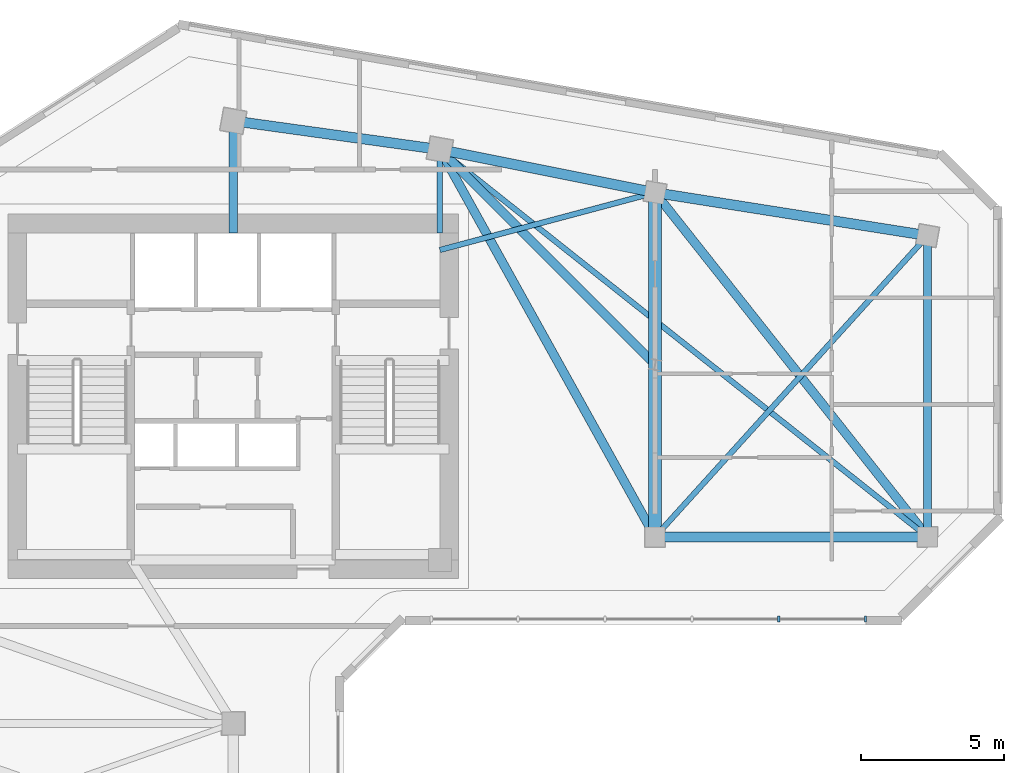
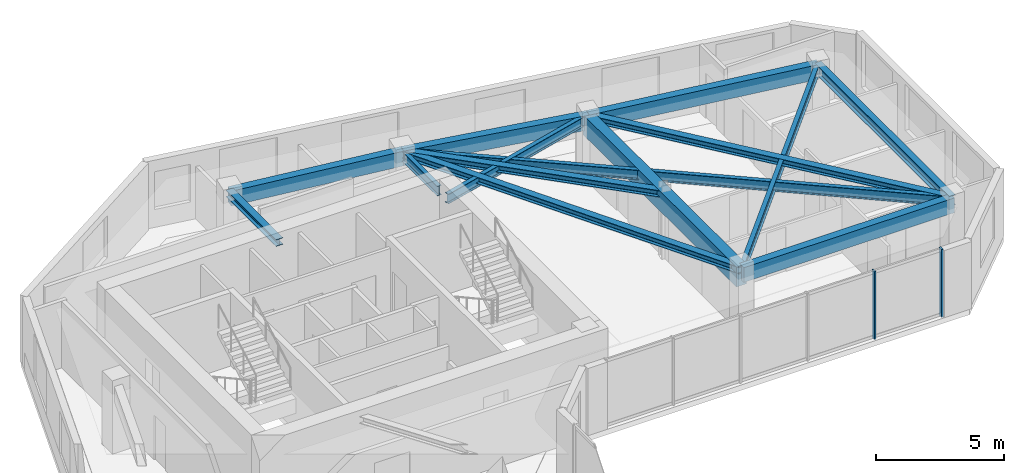
# One storey, part 3 of 10: 14 beams, 2 members, 1 element without a shape of its own.
"""IFC4 building model written with IfcOpenShell, lengths in metres."""

from ifc_helpers import new_model, si_unit, direction, frame, origin, origin_2d, place, context, subcontext, project, spatial, rectangle, i_section, extrude, source, transform, mapped, material, material_profile, profile_set, type_object, element, aggregate, save


model = new_model("IFC4")

# Units and contexts
model_context = context("Model", 3, precision=1e-05, world=origin(), true_north=direction((0.0, 1.0)))
body_context = subcontext(model_context, "Body", "Model", "MODEL_VIEW")
ifc_project = project(units=[si_unit("LENGTHUNIT", "METRE"), si_unit("AREAUNIT", "SQUARE_METRE"), si_unit("VOLUMEUNIT", "CUBIC_METRE"), si_unit("PLANEANGLEUNIT", "RADIAN"), si_unit("MASSUNIT", "GRAM", prefix="KILO")], contexts=[model_context])

# Site, building, storey
site_placement = place(None, origin())
site = spatial("IfcSite", under=ifc_project, at=site_placement, CompositionType="ELEMENT")
building_placement = place(site_placement, origin())
building = spatial("IfcBuilding", under=site, at=building_placement, Name="Calvemar Wedge Station Tower", CompositionType="ELEMENT")
storey_placement = place(building_placement, frame((0.0, 0.0, 207.89990234375)))
storey = spatial("IfcBuildingStorey", under=building, at=storey_placement, Name="L52", CompositionType="ELEMENT", Elevation=207.89990234375)

# Beams
ifc_material_1 = material(Name="Structural steel ASTM A572 Grade 50", Category="steel")
ifc_material_profile_1 = material_profile(ifc_material_1, i_section(OverallWidth=0.30908203125, OverallDepth=0.322998046875, WebThickness=0.013916015625, FlangeThickness=0.02294921875, FilletRadius=0.014892578125, at=origin_2d()), Name="W310x143")
ifc_profile_set_1 = profile_set([ifc_material_profile_1], Name="Structural steel ASTM A572 Grade 50")
beam_type_1 = type_object("IfcBeamType", Name="BM-J5-W310H", PredefinedType="JOIST", material=ifc_profile_set_1)
shared_shape_1 = source(origin(), body_context, "Body", "SweptSolid", [
    extrude(i_section(OverallWidth=0.30908203125, OverallDepth=0.322998046875, WebThickness=0.013916015625, FlangeThickness=0.02294921875, FilletRadius=0.014892578125, at=origin_2d()), origin(), (0.0, 0.0, 1.0), 15.443359375),
])
beam_1_placement = place(storey_placement, frame((31.0, 48.5, 3.03857421875), z_axis=(0.485642931179, -0.874157276122, 0.0), x_axis=(0.874157276122, 0.485642931179, 0.0)))
element("IfcBeam", 1, at=beam_1_placement, inside=storey, type_object=beam_type_1, Name="Storey L52 Floor Beam T-N2-T-NL2", PredefinedType="JOIST", context=body_context, shape_type="MappedRepresentation", body=[
    mapped(shared_shape_1, transform((0.0, 0.0, 0.0), scale=1.0)),
])
ifc_material_profile_2 = material_profile(ifc_material_1, i_section(OverallWidth=0.19189453125, OverallDepth=0.462890625, WebThickness=0.010498046875, FlangeThickness=0.017578125, FilletRadius=0.012939453125, at=origin_2d()), Name="W460x89")
ifc_profile_set_2 = profile_set([ifc_material_profile_2], Name="Structural steel ASTM A572 Grade 50")
beam_type_2 = type_object("IfcBeamType", Name="BM-J1-W460", PredefinedType="JOIST", material=ifc_profile_set_2)
shared_shape_2 = source(origin(), body_context, "Body", "SweptSolid", [
    extrude(i_section(OverallWidth=0.19189453125, OverallDepth=0.462890625, WebThickness=0.010498046875, FlangeThickness=0.017578125, FilletRadius=0.012939453125, at=origin_2d()), origin(), (0.0, 0.0, 1.0), 21.708251953125),
])
beam_2_placement = place(storey_placement, frame((31.0, 48.5, 2.968505859375), z_axis=(0.783110847498, -0.621882143602, 0.0), x_axis=(0.621882143602, 0.783110847498, 0.0)))
element("IfcBeam", 2, at=beam_2_placement, inside=storey, type_object=beam_type_2, Name="Storey L52 Floor Beam T-N2-T-NL3", PredefinedType="JOIST", context=body_context, shape_type="MappedRepresentation", body=[
    mapped(shared_shape_2, transform((0.0, 0.0, 0.0), scale=1.0)),
])
shared_shape_3 = source(origin(), body_context, "Body", "SweptSolid", [
    extrude(i_section(OverallWidth=0.30908203125, OverallDepth=0.322998046875, WebThickness=0.013916015625, FlangeThickness=0.02294921875, FilletRadius=0.014892578125, at=origin_2d()), origin(), (0.0, 0.0, 1.0), 15.30517578125),
])
beam_3_placement = place(storey_placement, frame((38.5, 47.0, 3.03857421875), z_axis=(0.620702944366, -0.784045824462, 0.0), x_axis=(0.784045824462, 0.620702944366, 0.0)))
element("IfcBeam", 3, at=beam_3_placement, inside=storey, type_object=beam_type_1, Name="Storey L52 Floor Beam T-NU3-T-NL3", PredefinedType="JOIST", context=body_context, shape_type="MappedRepresentation", body=[
    mapped(shared_shape_3, transform((0.0, 0.0, 0.0), scale=1.0)),
])
shared_shape_4 = source(origin(), body_context, "Body", "SweptSolid", [
    extrude(i_section(OverallWidth=0.19189453125, OverallDepth=0.462890625, WebThickness=0.010498046875, FlangeThickness=0.017578125, FilletRadius=0.012939453125, at=origin_2d()), origin(), (0.0, 0.0, 1.0), 14.159912109375),
])
beam_4_placement = place(storey_placement, frame((38.5, 35.0, 2.968505859375), z_axis=(0.670913323969, 0.741535779124, 0.0), x_axis=(-0.741535779124, 0.670913323969, 0.0)))
element("IfcBeam", 4, at=beam_4_placement, inside=storey, type_object=beam_type_2, Name="Storey L52 Floor Beam T-NL2-T-NU4", PredefinedType="JOIST", context=body_context, shape_type="MappedRepresentation", body=[
    mapped(shared_shape_4, transform((0.0, 0.0, 0.0), scale=1.0)),
])
shared_shape_5 = source(origin(), body_context, "Body", "SweptSolid", [
    extrude(i_section(OverallWidth=0.19189453125, OverallDepth=0.462890625, WebThickness=0.010498046875, FlangeThickness=0.017578125, FilletRadius=0.012939453125, at=origin_2d()), origin(), (0.0, 0.0, 1.0), 7.76220703125),
])
beam_5_placement = place(storey_placement, frame((31.0, 45.0, 2.968505859375), z_axis=(0.966234939601, 0.25766265056, 0.0), x_axis=(-0.25766265056, 0.966234939601, 0.0)))
element("IfcBeam", 5, at=beam_5_placement, inside=storey, type_object=beam_type_2, Name="Storey L52 Core-to-Column Joist CJ-E2", PredefinedType="JOIST", context=body_context, shape_type="MappedRepresentation", body=[
    mapped(shared_shape_5, transform((0.0, 0.0, 0.0), scale=1.0)),
])
shared_shape_6 = source(origin(), body_context, "Body", "SweptSolid", [
    extrude(i_section(OverallWidth=0.30908203125, OverallDepth=0.322998046875, WebThickness=0.013916015625, FlangeThickness=0.02294921875, FilletRadius=0.014892578125, at=origin_2d()), origin(), (0.0, 0.0, 1.0), 3.89990234375),
])
beam_6_placement = place(storey_placement, frame((23.800048828125, 45.60009765625, 3.03857421875), z_axis=(0.0, 1.0, 0.0), x_axis=(-1.0, 0.0, 0.0)))
element("IfcBeam", 6, at=beam_6_placement, inside=storey, type_object=beam_type_1, Name="Storey L52 Core-to-Column Joist CJ-N1", PredefinedType="JOIST", context=body_context, shape_type="MappedRepresentation", body=[
    mapped(shared_shape_6, transform((0.0, 0.0, 0.0), scale=1.0)),
])
shared_shape_7 = source(origin(), body_context, "Body", "SweptSolid", [
    extrude(i_section(OverallWidth=0.19189453125, OverallDepth=0.462890625, WebThickness=0.010498046875, FlangeThickness=0.017578125, FilletRadius=0.012939453125, at=origin_2d()), origin(), (0.0, 0.0, 1.0), 2.89990234375),
])
beam_7_placement = place(storey_placement, frame((31.0, 45.60009765625, 2.968505859375), z_axis=(0.0, 1.0, 0.0), x_axis=(-1.0, 0.0, 0.0)))
element("IfcBeam", 7, at=beam_7_placement, inside=storey, type_object=beam_type_2, Name="Storey L52 Core-to-Column Joist CJ-N2", PredefinedType="JOIST", context=body_context, shape_type="MappedRepresentation", body=[
    mapped(shared_shape_7, transform((0.0, 0.0, 0.0), scale=1.0)),
])
ifc_material_2 = material(Name="Concrete C50", Category="concrete")
ifc_material_profile_3 = material_profile(ifc_material_2, rectangle(XDim=0.449951171875, YDim=0.949951171875, at=origin_2d()), Name="RC450x950")
ifc_profile_set_3 = profile_set([ifc_material_profile_3], Name="Concrete C50")
beam_type_3 = type_object("IfcBeamType", Name="BM-G2-950", PredefinedType="BEAM", material=ifc_profile_set_3)
shared_shape_8 = source(origin(), body_context, "Body", "SweptSolid", [
    extrude(rectangle(XDim=0.449951171875, YDim=0.949951171875, at=origin_2d()), origin(), (0.0, 0.0, 1.0), 12.0),
])
beam_8_placement = place(storey_placement, frame((38.5, 35.0, 2.72509765625), z_axis=(0.0, 1.0, 0.0), x_axis=(-1.0, 0.0, 0.0)))
element("IfcBeam", 8, at=beam_8_placement, inside=storey, type_object=beam_type_3, Name="Storey L52 Sub-Block Collector Girder B2", PredefinedType="BEAM", context=body_context, shape_type="MappedRepresentation", body=[
    mapped(shared_shape_8, transform((0.0, 0.0, 0.0), scale=1.0)),
])
shared_shape_9 = source(origin(), body_context, "Body", "SweptSolid", [
    extrude(i_section(OverallWidth=0.30908203125, OverallDepth=0.322998046875, WebThickness=0.013916015625, FlangeThickness=0.02294921875, FilletRadius=0.014892578125, at=origin_2d()), origin(), (0.0, 0.0, 1.0), 10.606689453125),
])
beam_9_placement = place(storey_placement, frame((38.5, 41.0, 3.03857421875), z_axis=(-0.707106781187, 0.707106781187, 0.0), x_axis=(-0.707106781187, -0.707106781187, 0.0)))
element("IfcBeam", 9, at=beam_9_placement, inside=storey, type_object=beam_type_1, Name="Storey L52 Floor Beam T-NTIP-B-T-N2", PredefinedType="JOIST", context=body_context, shape_type="MappedRepresentation", body=[
    mapped(shared_shape_9, transform((0.0, 0.0, 0.0), scale=1.0)),
])
ifc_material_profile_4 = material_profile(ifc_material_2, rectangle(XDim=0.35009765625, YDim=0.699951171875, at=origin_2d()), Name="RC350x700")
ifc_profile_set_4 = profile_set([ifc_material_profile_4], Name="Concrete C50")
beam_type_4 = type_object("IfcBeamType", Name="BM-SP2-700", PredefinedType="SPANDREL", material=ifc_profile_set_4)
shared_shape_10 = source(origin(), body_context, "Body", "SweptSolid", [
    extrude(rectangle(XDim=0.35009765625, YDim=0.699951171875, at=origin_2d()), origin(), (0.0, 0.0, 1.0), 7.26904296875),
])
beam_10_placement = place(storey_placement, frame((23.800048828125, 49.5, 2.85009765625), z_axis=(0.990492146053, -0.13756928657, 0.0), x_axis=(0.13756928657, 0.990492146053, 0.0)))
element("IfcBeam", 10, at=beam_10_placement, inside=storey, type_object=beam_type_4, Name="Storey L52 Spandrel T-N1-T-N2", PredefinedType="SPANDREL", context=body_context, shape_type="MappedRepresentation", body=[
    mapped(shared_shape_10, transform((0.0, 0.0, 0.0), scale=1.0)),
])
shared_shape_11 = source(origin(), body_context, "Body", "SweptSolid", [
    extrude(rectangle(XDim=0.35009765625, YDim=0.699951171875, at=origin_2d()), origin(), (0.0, 0.0, 1.0), 7.6484375),
])
beam_11_placement = place(storey_placement, frame((31.0, 48.5, 2.85009765625), z_axis=(0.980580675691, -0.196116135138, 0.0), x_axis=(0.196116135138, 0.980580675691, 0.0)))
element("IfcBeam", 11, at=beam_11_placement, inside=storey, type_object=beam_type_4, Name="Storey L52 Spandrel T-N2-T-NU3", PredefinedType="SPANDREL", context=body_context, shape_type="MappedRepresentation", body=[
    mapped(shared_shape_11, transform((0.0, 0.0, 0.0), scale=1.0)),
])
shared_shape_12 = source(origin(), body_context, "Body", "SweptSolid", [
    extrude(rectangle(XDim=0.35009765625, YDim=0.699951171875, at=origin_2d()), origin(), (0.0, 0.0, 1.0), 9.61767578125),
])
beam_12_placement = place(storey_placement, frame((38.5, 47.0, 2.85009765625), z_axis=(0.987762965329, -0.155962573473, 0.0), x_axis=(0.155962573473, 0.987762965329, 0.0)))
element("IfcBeam", 12, at=beam_12_placement, inside=storey, type_object=beam_type_4, Name="Storey L52 Spandrel T-NU3-T-NU4", PredefinedType="SPANDREL", context=body_context, shape_type="MappedRepresentation", body=[
    mapped(shared_shape_12, transform((0.0, 0.0, 0.0), scale=1.0)),
])
shared_shape_13 = source(origin(), body_context, "Body", "SweptSolid", [
    extrude(rectangle(XDim=0.35009765625, YDim=0.699951171875, at=origin_2d()), origin(), (0.0, 0.0, 1.0), 9.5),
])
beam_13_placement = place(storey_placement, frame((38.5, 35.0, 2.85009765625), z_axis=(1.0, 0.0, 0.0), x_axis=(0.0, 1.0, 0.0)))
element("IfcBeam", 13, at=beam_13_placement, inside=storey, type_object=beam_type_4, Name="Storey L52 Spandrel T-NL2-T-NL3", PredefinedType="SPANDREL", context=body_context, shape_type="MappedRepresentation", body=[
    mapped(shared_shape_13, transform((0.0, 0.0, 0.0), scale=1.0)),
])
ifc_material_profile_5 = material_profile(ifc_material_1, i_section(OverallWidth=0.283935546875, OverallDepth=0.47607421875, WebThickness=0.014892578125, FlangeThickness=0.02392578125, FilletRadius=0.014892578125, at=origin_2d()), Name="W460x158")
ifc_profile_set_5 = profile_set([ifc_material_profile_5], Name="Structural steel ASTM A572 Grade 50")
beam_type_5 = type_object("IfcBeamType", Name="BM-SB5-W460H", PredefinedType="BEAM", material=ifc_profile_set_5)
shared_shape_14 = source(origin(), body_context, "Body", "SweptSolid", [
    extrude(i_section(OverallWidth=0.283935546875, OverallDepth=0.47607421875, WebThickness=0.014892578125, FlangeThickness=0.02392578125, FilletRadius=0.014892578125, at=origin_2d()), origin(), (0.0, 0.0, 1.0), 10.5),
])
beam_14_placement = place(storey_placement, frame((48.0, 45.5, 2.962158203125), z_axis=(0.0, -1.0, 0.0), x_axis=(1.0, 0.0, 0.0)))
element("IfcBeam", 14, at=beam_14_placement, inside=storey, type_object=beam_type_5, Name="Storey L52 Floor Beam T-NU4-T-NL3", PredefinedType="BEAM", context=body_context, shape_type="MappedRepresentation", body=[
    mapped(shared_shape_14, transform((0.0, 0.0, 0.0), scale=1.0)),
])

# Curtain wall, members
ifc_material_3 = material(Name="Anodised aluminium 6063-T6", Category="aluminium")
curtain_wall_type = type_object("IfcCurtainWallType", Name="CW3", PredefinedType="NOTDEFINED", material=ifc_material_3)
curtain_wall_placement = place(storey_placement, origin())
curtain_wall = element("IfcCurtainWall", 15, at=curtain_wall_placement, inside=storey, type_object=curtain_wall_type, Name="Storey L52 CW3 Recessed Unitised Curtain Wall 6", PredefinedType="NOTDEFINED")
ifc_material_profile_6 = material_profile(ifc_material_3, rectangle(XDim=0.074951171875, YDim=0.2099609375, at=origin_2d()), Name="AL-MUL-75x210")
ifc_profile_set_6 = profile_set([ifc_material_profile_6], Name="Anodised aluminium 6063-T6")
member_type = type_object("IfcMemberType", Name="CW3-MUL", PredefinedType="MULLION", material=ifc_profile_set_6)
shared_shape_15 = source(origin(), body_context, "Body", "SweptSolid", [
    extrude(rectangle(XDim=0.074951171875, YDim=0.2099609375, at=origin_2d()), origin(), (0.0, 0.0, 1.0), 3.25),
])
member_1_placement = place(storey_placement, frame((42.810791015625, 32.134033203125, -0.0498046875), z_axis=(0.0, 0.0, 1.0), x_axis=(1.0, 0.0, 0.0)))
member_1 = element("IfcMember", 16, at=member_1_placement, type_object=member_type, Name="CW3 mullion 5", PredefinedType="MULLION", context=body_context, shape_type="MappedRepresentation", body=[
    mapped(shared_shape_15, transform((0.0, 0.0, 0.0), scale=1.0)),
])
member_2_placement = place(storey_placement, frame((45.837890625, 32.134033203125, -0.0498046875), z_axis=(0.0, 0.0, 1.0), x_axis=(1.0, 0.0, 0.0)))
member_2 = element("IfcMember", 17, at=member_2_placement, type_object=member_type, Name="CW3 mullion 6", PredefinedType="MULLION", context=body_context, shape_type="MappedRepresentation", body=[
    mapped(shared_shape_15, transform((0.0, 0.0, 0.0), scale=1.0)),
])
aggregate(curtain_wall, [member_1, member_2])

save(model, "model.ifc")
